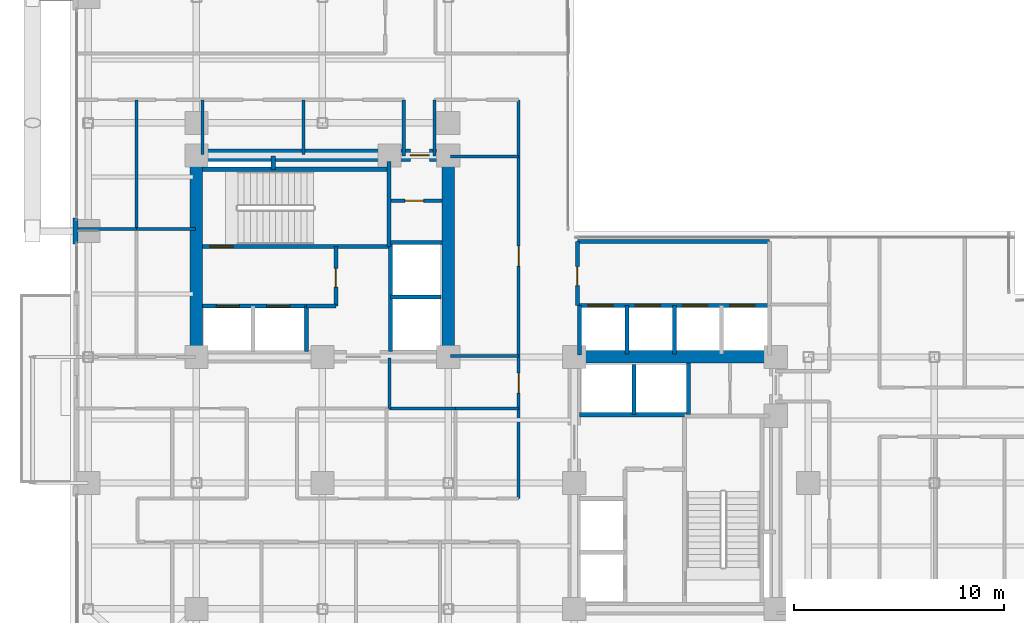
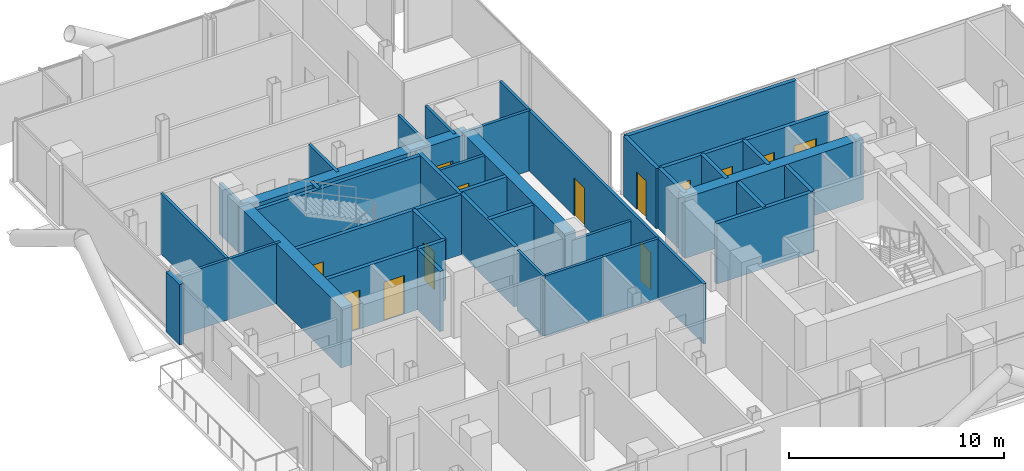
# One storey, part 20 of 24: 39 walls, 13 doors, 13 openings.
"""IFC4 building model written with IfcOpenShell, lengths in metres."""

from ifc_helpers import new_model, si_unit, direction, frame, frame_2d, origin, place, context, subcontext, project, spatial, rectangle, extrude, material, layer, layer_set, type_object, element, fill, save


model = new_model("IFC4")

# Units and contexts
model_context = context("Model", 3, precision=1e-05, world=origin(), true_north=direction((0.0, 1.0)))
body_context = subcontext(model_context, "Body", "Model", "MODEL_VIEW")
ifc_project = project(units=[si_unit("LENGTHUNIT", "METRE"), si_unit("AREAUNIT", "SQUARE_METRE"), si_unit("VOLUMEUNIT", "CUBIC_METRE"), si_unit("PLANEANGLEUNIT", "RADIAN"), si_unit("MASSUNIT", "GRAM", prefix="KILO"), si_unit("THERMODYNAMICTEMPERATUREUNIT", "KELVIN"), si_unit("POWERUNIT", "WATT")], contexts=[model_context])

# Site, building, storey
site_placement = place(None, origin())
site = spatial("IfcSite", under=ifc_project, at=site_placement, CompositionType="ELEMENT")
building_placement = place(site_placement, origin())
building = spatial("IfcBuilding", under=site, at=building_placement, Name="Svarakhadi Broadcast Tower", CompositionType="ELEMENT")
storey_placement = place(building_placement, frame((0.0, 0.0, 160.64990234375)))
storey = spatial("IfcBuildingStorey", under=building, at=storey_placement, Name="L39", CompositionType="ELEMENT", Elevation=160.64990234375)

# Walls
ifc_material_1 = material(Name="Concrete C40/50 (IS 456 M50)", Category="concrete")
ifc_layer_1 = layer(ifc_material_1, 0.239990234375)
ifc_layer_set_1 = layer_set([ifc_layer_1], Name="Concrete C40/50 (IS 456 M50)")
wall_type_1 = type_object("IfcWallType", Name="Wall_Ext_240", PredefinedType="SOLIDWALL", material=ifc_layer_set_1)
wall_1_placement = place(storey_placement, frame((0.239990234375, 23.385009765625, 0.0), z_axis=(0.0, 0.0, 1.0), x_axis=(0.0, 1.0, 0.0)))
element("IfcWall", 1, at=wall_1_placement, inside=storey, type_object=wall_type_1, Name="L39 Perimeter Bronze Spandrel Closure Wall 02", PredefinedType="SOLIDWALL", context=body_context, shape_type="SweptSolid", body=[
    extrude(rectangle(XDim=1.22998046875, YDim=0.239990234375, at=frame_2d((0.614990234375, 0.0))), origin(), (0.0, 0.0, 1.0), 3.425048828125),
])
ifc_layer_2 = layer(ifc_material_1, 0.199951171875)
ifc_layer_set_2 = layer_set([ifc_layer_2], Name="Concrete C40/50 (IS 456 M50)")
wall_type_2 = type_object("IfcWallType", Name="Wall_Fire_200", PredefinedType="SOLIDWALL", material=ifc_layer_set_2)
wall_2_placement = place(storey_placement, frame((9.659912109375, 26.93994140625, 0.0), z_axis=(0.0, 0.0, 1.0), x_axis=(0.0, 1.0, 0.0)))
element("IfcWall", 2, at=wall_2_placement, inside=storey, type_object=wall_type_2, Name="L39 Wet Riser Shaft East Wall", PredefinedType="SOLIDWALL", context=body_context, shape_type="SweptSolid", body=[
    extrude(rectangle(XDim=0.64013671875, YDim=0.199951171875, at=frame_2d((0.320068359375, 0.0))), origin(), (0.0, 0.0, 1.0), 3.425048828125),
])

# Wall, opening, door
ifc_material_2 = material(Name="Autoclaved Aerated Concrete Blockwork 150 mm", Category="masonry")
ifc_layer_3 = layer(ifc_material_2, 0.14990234375)
ifc_layer_set_3 = layer_set([ifc_layer_3], Name="Autoclaved Aerated Concrete Blockwork 150 mm")
wall_type_3 = type_object("IfcWallType", Name="Wall_Part_150", PredefinedType="PARTITIONING", material=ifc_layer_set_3)
wall_3_placement = place(storey_placement, frame((15.280029296875, 25.43994140625, 0.0), z_axis=(0.0, 0.0, 1.0), x_axis=(1.0, 0.0, 0.0)))
wall_3 = element("IfcWall", 3, at=wall_3_placement, inside=storey, type_object=wall_type_3, Name="L39 West Core Dual Store Wall", PredefinedType="PARTITIONING", context=body_context, shape_type="SweptSolid", body=[
    extrude(rectangle(XDim=2.419921875, YDim=0.14990234375, at=frame_2d((1.2099609375, 0.0))), origin(), (0.0, 0.0, 1.0), 3.425048828125),
])
opening_1_placement = place(wall_3_placement, frame((0.64990234375, 0.0, 0.0)))
opening_1 = element("IfcOpeningElement", 4, at=opening_1_placement, cuts=wall_3, Name="Opening D-04", PredefinedType="OPENING", context=body_context, shape_type="SweptSolid", body=[
    extrude(rectangle(XDim=0.89990234375, YDim=2.14990234375, at=frame_2d((0.449951171875, 1.074951171875))), frame((0.0, 0.0849609375, 0.0), z_axis=(0.0, -1.0, 0.0), x_axis=(1.0, 0.0, 0.0)), (0.0, 0.0, 1.0), 0.169921875),
])
ifc_material_3 = material(Name="Galvanised Powder-Coated Fire-Rated Steel Leaf", Category="steel")
door_type_1 = type_object("IfcDoorType", Name="Door_Fire_D04", OperationType="SINGLE_SWING_RIGHT", PredefinedType="DOOR", material=ifc_material_3)
door_1_placement = place(opening_1_placement, origin())
door_1 = element("IfcDoor", 5, at=door_1_placement, inside=storey, type_object=door_type_1, Name="L39 West Core Store B Door", OperationType="SINGLE_SWING_RIGHT", OverallHeight=2.14990234375, OverallWidth=0.89990234375, PredefinedType="DOOR", context=body_context, shape_type="SweptSolid", body=[
    extrude(rectangle(XDim=0.89990234375, YDim=2.14990234375, at=frame_2d((0.449951171875, 1.074951171875))), frame((0.0, 0.02490234375, 0.0), z_axis=(0.0, -1.0, 0.0), x_axis=(1.0, 0.0, 0.0)), (0.0, 0.0, 1.0), 0.050048828125),
])
fill(opening_1, door_1)

# Wall
wall_4_placement = place(storey_placement, frame((15.199951171875, 17.949951171875, 0.0), z_axis=(0.0, 0.0, 1.0), x_axis=(0.0, -1.0, 0.0)))
element("IfcWall", 6, at=wall_4_placement, inside=storey, type_object=wall_type_3, Name="L39 Zone 2/3 Corridor Wall", PredefinedType="PARTITIONING", context=body_context, shape_type="SweptSolid", body=[
    extrude(rectangle(XDim=2.39990234375, YDim=0.14990234375, at=frame_2d((1.199951171875, 0.0))), origin(), (0.0, 0.0, 1.0), 3.425048828125),
])

# Wall, openings, doors
wall_5_placement = place(storey_placement, frame((21.35009765625, 11.25, 0.0), z_axis=(0.0, 0.0, 1.0), x_axis=(0.0, 1.0, 0.0)))
wall_5 = element("IfcWall", 7, at=wall_5_placement, inside=storey, type_object=wall_type_3, Name="L39 Zone 2/3 Corridor Wall", PredefinedType="PARTITIONING", context=body_context, shape_type="SweptSolid", body=[
    extrude(rectangle(XDim=19.0, YDim=0.14990234375, at=frame_2d((9.5, 0.0))), origin(), (0.0, 0.0, 1.0), 3.425048828125),
])
opening_2_placement = place(wall_5_placement, frame((11.074951171875, 0.0, 0.0)))
opening_2 = element("IfcOpeningElement", 8, at=opening_2_placement, cuts=wall_5, Name="Opening D-07", PredefinedType="OPENING", context=body_context, shape_type="SweptSolid", body=[
    extrude(rectangle(XDim=0.949951171875, YDim=2.14990234375, at=frame_2d((0.47509765625, 1.074951171875))), frame((0.0, 0.0849609375, 0.0), z_axis=(0.0, -1.0, 0.0), x_axis=(1.0, 0.0, 0.0)), (0.0, 0.0, 1.0), 0.169921875),
])
opening_3_placement = place(wall_5_placement, frame((5.02490234375, 0.0, 0.0)))
opening_3 = element("IfcOpeningElement", 9, at=opening_3_placement, cuts=wall_5, Name="Opening D-06", PredefinedType="OPENING", context=body_context, shape_type="SweptSolid", body=[
    extrude(rectangle(XDim=0.949951171875, YDim=2.14990234375, at=frame_2d((0.47509765625, 1.074951171875))), frame((0.0, 0.0849609375, 0.0), z_axis=(0.0, -1.0, 0.0), x_axis=(1.0, 0.0, 0.0)), (0.0, 0.0, 1.0), 0.169921875),
])
ifc_material_4 = material(Name="Solid-Core Teak Veneer Acoustic Timber Leaf", Category="wood")
door_type_2 = type_object("IfcDoorType", Name="Door_Office_D06", OperationType="SINGLE_SWING_LEFT", PredefinedType="DOOR", material=ifc_material_4)
door_2_placement = place(opening_3_placement, origin())
door_2 = element("IfcDoor", 10, at=door_2_placement, inside=storey, type_object=door_type_2, Name="L39 Executive Review Pod Door", OperationType="SINGLE_SWING_LEFT", OverallHeight=2.14990234375, OverallWidth=0.949951171875, PredefinedType="DOOR", context=body_context, shape_type="SweptSolid", body=[
    extrude(rectangle(XDim=0.949951171875, YDim=2.14990234375, at=frame_2d((0.47509765625, 1.074951171875))), frame((0.0, 0.02490234375, 0.0), z_axis=(0.0, -1.0, 0.0), x_axis=(1.0, 0.0, 0.0)), (0.0, 0.0, 1.0), 0.050048828125),
])
fill(opening_3, door_2)
door_type_3 = type_object("IfcDoorType", Name="Door_Office_D07", OperationType="SINGLE_SWING_RIGHT", PredefinedType="DOOR", material=ifc_material_4)
door_3_placement = place(opening_2_placement, origin())
door_3 = element("IfcDoor", 11, at=door_3_placement, inside=storey, type_object=door_type_3, Name="L39 Broadcast Editorial Review Office Door", OperationType="SINGLE_SWING_RIGHT", OverallHeight=2.14990234375, OverallWidth=0.949951171875, PredefinedType="DOOR", context=body_context, shape_type="SweptSolid", body=[
    extrude(rectangle(XDim=0.949951171875, YDim=2.14990234375, at=frame_2d((0.47509765625, 1.074951171875))), frame((0.0, 0.02490234375, 0.0), z_axis=(0.0, -1.0, 0.0), x_axis=(1.0, 0.0, 0.0)), (0.0, 0.0, 1.0), 0.050048828125),
])
fill(opening_2, door_3)

# Walls
for number, where, z_axis, x_axis, name in (
    (12, (17.35009765625, 30.25, 0.0), (0.0, 0.0, 1.0), (0.0, -1.0, 0.0), "L39 Zone 2/3 Corridor Wall"),
    (13, (15.8798828125, 27.580078125, 0.0), (0.0, 0.0, 1.0), (0.0, 1.0, 0.0), "L39 Zone 2/3 Corridor Wall"),
):
    element("IfcWall", number, at=place(storey_placement, frame(where, z_axis=z_axis, x_axis=x_axis)), inside=storey, type_object=wall_type_3, Name=name, PredefinedType="PARTITIONING", context=body_context, shape_type="SweptSolid", body=[
        extrude(rectangle(XDim=2.669921875, YDim=0.14990234375, at=frame_2d((1.3349609375, 0.0))), origin(), (0.0, 0.0, 1.0), 3.425048828125),
    ])
wall_6_placement = place(storey_placement, frame((15.199951171875, 15.550048828125, 0.0), z_axis=(0.0, 0.0, 1.0), x_axis=(1.0, 0.0, 0.0)))
element("IfcWall", 14, at=wall_6_placement, inside=storey, type_object=wall_type_3, Name="L39 Editorial Review Booth Wall", PredefinedType="PARTITIONING", context=body_context, shape_type="SweptSolid", body=[
    extrude(rectangle(XDim=3.150146484375, YDim=0.14990234375, at=frame_2d((1.5751953125, 0.0))), origin(), (0.0, 0.0, 1.0), 3.425048828125),
])
wall_7_placement = place(storey_placement, frame((18.35009765625, 15.550048828125, 0.0), z_axis=(0.0, 0.0, 1.0), x_axis=(1.0, 0.0, 0.0)))
element("IfcWall", 15, at=wall_7_placement, inside=storey, type_object=wall_type_3, Name="L39 Accessible Floor Washroom WC Wall", PredefinedType="PARTITIONING", context=body_context, shape_type="SweptSolid", body=[
    extrude(rectangle(XDim=3.0, YDim=0.14990234375, at=frame_2d((1.5, 0.0))), origin(), (0.0, 0.0, 1.0), 3.425048828125),
])
wall_8_placement = place(storey_placement, frame((18.10009765625, 18.050048828125, 0.0), z_axis=(0.0, 0.0, 1.0), x_axis=(1.0, 0.0, 0.0)))
element("IfcWall", 16, at=wall_8_placement, inside=storey, type_object=wall_type_3, Name="L39 Broadcast Editorial Review Office Wall", PredefinedType="PARTITIONING", context=body_context, shape_type="SweptSolid", body=[
    extrude(rectangle(XDim=3.25, YDim=0.14990234375, at=frame_2d((1.625, 0.0))), origin(), (0.0, 0.0, 1.0), 2.9169921875),
])
wall_9_placement = place(storey_placement, frame((18.10009765625, 27.550048828125, 0.0), z_axis=(0.0, 0.0, 1.0), x_axis=(1.0, 0.0, 0.0)))
element("IfcWall", 17, at=wall_9_placement, inside=storey, type_object=wall_type_3, Name="L39 Broadcast Editorial Review Office Wall", PredefinedType="PARTITIONING", context=body_context, shape_type="SweptSolid", body=[
    extrude(rectangle(XDim=3.25, YDim=0.14990234375, at=frame_2d((1.625, 0.0))), origin(), (0.0, 0.0, 1.0), 3.425048828125),
])
wall_10_placement = place(storey_placement, frame((0.300048828125, 24.10009765625, 0.0), z_axis=(0.0, 0.0, 1.0), x_axis=(1.0, 0.0, 0.0)))
element("IfcWall", 18, at=wall_10_placement, inside=storey, type_object=wall_type_3, Name="L39 Arabian Sea Executive Studio Wall", PredefinedType="PARTITIONING", context=body_context, shape_type="SweptSolid", body=[
    extrude(rectangle(XDim=2.849853515625, YDim=0.14990234375, at=frame_2d((1.4248046875, 0.0))), origin(), (0.0, 0.0, 1.0), 3.425048828125),
])
wall_11_placement = place(storey_placement, frame((3.14990234375, 24.10009765625, 0.0), z_axis=(0.0, 0.0, 1.0), x_axis=(1.0, 0.0, 0.0)))
element("IfcWall", 19, at=wall_11_placement, inside=storey, type_object=wall_type_3, Name="L39 Arabian Sea Executive Studio Wall", PredefinedType="PARTITIONING", context=body_context, shape_type="SweptSolid", body=[
    extrude(rectangle(XDim=2.800048828125, YDim=0.14990234375, at=frame_2d((1.39990234375, 0.0))), origin(), (0.0, 0.0, 1.0), 3.425048828125),
])
wall_12_placement = place(storey_placement, frame((3.14990234375, 24.10009765625, 0.0), z_axis=(0.0, 0.0, 1.0), x_axis=(0.0, 1.0, 0.0)))
element("IfcWall", 20, at=wall_12_placement, inside=storey, type_object=wall_type_3, Name="L39 Sunset Horizon Screening Room Wall", PredefinedType="PARTITIONING", context=body_context, shape_type="SweptSolid", body=[
    extrude(rectangle(XDim=6.14990234375, YDim=0.14990234375, at=frame_2d((3.074951171875, 0.0))), origin(), (0.0, 0.0, 1.0), 3.425048828125),
])
wall_13_placement = place(storey_placement, frame((6.300048828125, 27.64990234375, 0.0), z_axis=(0.0, 0.0, 1.0), x_axis=(0.0, 1.0, 0.0)))
element("IfcWall", 21, at=wall_13_placement, inside=storey, type_object=wall_type_3, Name="L39 Acoustic Dubbing Booth Wall", PredefinedType="PARTITIONING", context=body_context, shape_type="SweptSolid", body=[
    extrude(rectangle(XDim=2.60009765625, YDim=0.14990234375, at=frame_2d((1.300048828125, 0.0))), origin(), (0.0, 0.0, 1.0), 2.9169921875),
])
wall_14_placement = place(storey_placement, frame((11.10009765625, 27.64990234375, 0.0), z_axis=(0.0, 0.0, 1.0), x_axis=(0.0, 1.0, 0.0)))
element("IfcWall", 22, at=wall_14_placement, inside=storey, type_object=wall_type_3, Name="L39 Acoustic Dubbing Booth Wall", PredefinedType="PARTITIONING", context=body_context, shape_type="SweptSolid", body=[
    extrude(rectangle(XDim=2.60009765625, YDim=0.14990234375, at=frame_2d((1.300048828125, 0.0))), origin(), (0.0, 0.0, 1.0), 3.425048828125),
])

# Wall, opening, door
ifc_material_5 = material(Name="Concrete C50/60 (IS 456 M60)", Category="concrete")
ifc_layer_4 = layer(ifc_material_5, 0.199951171875)
ifc_layer_set_4 = layer_set([ifc_layer_4], Name="Concrete C50/60 (IS 456 M60)")
wall_type_4 = type_object("IfcWallType", Name="Wall_Shear_200", PredefinedType="SHEAR", material=ifc_layer_set_4)
wall_15_placement = place(storey_placement, frame((6.300048828125, 23.260009765625, 0.0), z_axis=(0.0, 0.0, 1.0), x_axis=(1.0, 0.0, 0.0)))
wall_15 = element("IfcWall", 23, at=wall_15_placement, inside=storey, type_object=wall_type_4, Name="L39 Stair ST-01 South RC Shaft Wall", PredefinedType="SHEAR", context=body_context, shape_type="SweptSolid", body=[
    extrude(rectangle(XDim=8.8798828125, YDim=0.199951171875, at=frame_2d((4.43994140625, 0.0))), origin(), (0.0, 0.0, 1.0), 3.425048828125),
])
opening_4_placement = place(wall_15_placement, frame((0.35009765625, 0.0, 0.0)))
opening_4 = element("IfcOpeningElement", 24, at=opening_4_placement, cuts=wall_15, Name="Opening D-01", PredefinedType="OPENING", context=body_context, shape_type="SweptSolid", body=[
    extrude(rectangle(XDim=1.10009765625, YDim=2.199951171875, at=frame_2d((0.550048828125, 1.10009765625))), frame((0.0, 0.10986328125, 0.0), z_axis=(0.0, -1.0, 0.0), x_axis=(1.0, 0.0, 0.0)), (0.0, 0.0, 1.0), 0.219970703125),
])
door_type_4 = type_object("IfcDoorType", Name="Door_Stair_D01", OperationType="SINGLE_SWING_LEFT", PredefinedType="DOOR", material=ifc_material_3)
door_4_placement = place(opening_4_placement, origin())
door_4 = element("IfcDoor", 25, at=door_4_placement, inside=storey, type_object=door_type_4, Name="L39 Protected Exit Stair ST-01 Fire Door", OperationType="SINGLE_SWING_LEFT", OverallHeight=2.199951171875, OverallWidth=1.10009765625, PredefinedType="DOOR", context=body_context, shape_type="SweptSolid", body=[
    extrude(rectangle(XDim=1.10009765625, YDim=2.199951171875, at=frame_2d((0.550048828125, 1.10009765625))), frame((0.0, 0.02490234375, 0.0), z_axis=(0.0, -1.0, 0.0), x_axis=(1.0, 0.0, 0.0)), (0.0, 0.0, 1.0), 0.050048828125),
])
fill(opening_4, door_4)

# Walls
wall_16_placement = place(storey_placement, frame((6.300048828125, 26.93994140625, 0.0), z_axis=(0.0, 0.0, 1.0), x_axis=(1.0, 0.0, 0.0)))
element("IfcWall", 26, at=wall_16_placement, inside=storey, type_object=wall_type_4, Name="L39 Stair ST-01 North RC Shaft Wall", PredefinedType="SHEAR", context=body_context, shape_type="SweptSolid", body=[
    extrude(rectangle(XDim=8.8798828125, YDim=0.199951171875, at=frame_2d((4.43994140625, 0.0))), origin(), (0.0, 0.0, 1.0), 3.425048828125),
])
wall_17_placement = place(storey_placement, frame((15.179931640625, 23.260009765625, 0.0), z_axis=(0.0, 0.0, 1.0), x_axis=(0.0, 1.0, 0.0)))
element("IfcWall", 27, at=wall_17_placement, inside=storey, type_object=wall_type_4, Name="L39 Stair ST-01 East RC Shaft Wall", PredefinedType="SHEAR", context=body_context, shape_type="SweptSolid", body=[
    extrude(rectangle(XDim=4.0400390625, YDim=0.199951171875, at=frame_2d((2.02001953125, 0.0))), origin(), (0.0, 0.0, 1.0), 3.425048828125),
])

# Wall, openings, doors
wall_18_placement = place(storey_placement, frame((6.300048828125, 20.419921875, 0.0), z_axis=(0.0, 0.0, 1.0), x_axis=(1.0, 0.0, 0.0)))
wall_18 = element("IfcWall", 28, at=wall_18_placement, inside=storey, type_object=wall_type_4, Name="L39 Firefighting Lift LF-01/02 Shaft Wall", PredefinedType="SHEAR", context=body_context, shape_type="SweptSolid", body=[
    extrude(rectangle(XDim=4.949951171875, YDim=0.199951171875, at=frame_2d((2.47509765625, 0.0))), origin(), (0.0, 0.0, 1.0), 3.425048828125),
])
opening_5_placement = place(wall_18_placement, frame((0.64990234375, 0.0, 0.0)))
opening_5 = element("IfcOpeningElement", 29, at=opening_5_placement, cuts=wall_18, Name="Opening LD-01", PredefinedType="OPENING", context=body_context, shape_type="SweptSolid", body=[
    extrude(rectangle(XDim=1.10009765625, YDim=2.199951171875, at=frame_2d((0.550048828125, 1.10009765625))), frame((0.0, 0.10986328125, 0.0), z_axis=(0.0, -1.0, 0.0), x_axis=(1.0, 0.0, 0.0)), (0.0, 0.0, 1.0), 0.219970703125),
])
opening_6_placement = place(wall_18_placement, frame((3.050048828125, 0.0, 0.0)))
opening_6 = element("IfcOpeningElement", 30, at=opening_6_placement, cuts=wall_18, Name="Opening LD-01", PredefinedType="OPENING", context=body_context, shape_type="SweptSolid", body=[
    extrude(rectangle(XDim=1.10009765625, YDim=2.199951171875, at=frame_2d((0.550048828125, 1.10009765625))), frame((0.0, 0.10986328125, 0.0), z_axis=(0.0, -1.0, 0.0), x_axis=(1.0, 0.0, 0.0)), (0.0, 0.0, 1.0), 0.219970703125),
])
door_type_5 = type_object("IfcDoorType", Name="Door_Lift_LD01", OperationType="SLIDING_TO_LEFT", PredefinedType="DOOR", material=ifc_material_3)
door_5_placement = place(opening_5_placement, origin())
door_5 = element("IfcDoor", 31, at=door_5_placement, inside=storey, type_object=door_type_5, Name="L39 Firefighting Lift LF-01 Landing Door", OperationType="SLIDING_TO_LEFT", OverallHeight=2.199951171875, OverallWidth=1.10009765625, PredefinedType="DOOR", context=body_context, shape_type="SweptSolid", body=[
    extrude(rectangle(XDim=1.10009765625, YDim=2.199951171875, at=frame_2d((0.550048828125, 1.10009765625))), frame((0.0, 0.02490234375, 0.0), z_axis=(0.0, -1.0, 0.0), x_axis=(1.0, 0.0, 0.0)), (0.0, 0.0, 1.0), 0.050048828125),
])
fill(opening_5, door_5)
door_6_placement = place(opening_6_placement, origin())
door_6 = element("IfcDoor", 32, at=door_6_placement, inside=storey, type_object=door_type_5, Name="L39 Firefighting Lift LF-02 Landing Door", OperationType="SLIDING_TO_LEFT", OverallHeight=2.199951171875, OverallWidth=1.10009765625, PredefinedType="DOOR", context=body_context, shape_type="SweptSolid", body=[
    extrude(rectangle(XDim=1.10009765625, YDim=2.199951171875, at=frame_2d((0.550048828125, 1.10009765625))), frame((0.0, 0.02490234375, 0.0), z_axis=(0.0, -1.0, 0.0), x_axis=(1.0, 0.0, 0.0)), (0.0, 0.0, 1.0), 0.050048828125),
])
fill(opening_6, door_6)

# Walls
wall_19_placement = place(storey_placement, frame((11.25, 18.25, 0.0), z_axis=(0.0, 0.0, 1.0), x_axis=(0.0, 1.0, 0.0)))
element("IfcWall", 33, at=wall_19_placement, inside=storey, type_object=wall_type_4, Name="L39 Firefighting Lift LF-02 East Wall", PredefinedType="SHEAR", context=body_context, shape_type="SweptSolid", body=[
    extrude(rectangle(XDim=2.169921875, YDim=0.199951171875, at=frame_2d((1.0849609375, 0.0))), origin(), (0.0, 0.0, 1.0), 3.425048828125),
])
wall_20_placement = place(storey_placement, frame((11.25, 20.419921875, 0.0), z_axis=(0.0, 0.0, 1.0), x_axis=(1.0, 0.0, 0.0)))
element("IfcWall", 34, at=wall_20_placement, inside=storey, type_object=wall_type_4, Name="L39 West Firefighting Lobby South Wall", PredefinedType="SHEAR", context=body_context, shape_type="SweptSolid", body=[
    extrude(rectangle(XDim=1.39990234375, YDim=0.199951171875, at=frame_2d((0.699951171875, 0.0))), origin(), (0.0, 0.0, 1.0), 3.425048828125),
])

# Wall, opening, door
wall_21_placement = place(storey_placement, frame((12.64990234375, 20.419921875, 0.0), z_axis=(0.0, 0.0, 1.0), x_axis=(0.0, 1.0, 0.0)))
wall_21 = element("IfcWall", 35, at=wall_21_placement, inside=storey, type_object=wall_type_4, Name="L39 West Firefighting Lobby East Wall", PredefinedType="SHEAR", context=body_context, shape_type="SweptSolid", body=[
    extrude(rectangle(XDim=2.840087890625, YDim=0.199951171875, at=frame_2d((1.419921875, 0.0))), origin(), (0.0, 0.0, 1.0), 3.425048828125),
])
opening_7_placement = place(wall_21_placement, frame((0.89990234375, 0.0, 0.0)))
opening_7 = element("IfcOpeningElement", 36, at=opening_7_placement, cuts=wall_21, Name="Opening D-04", PredefinedType="OPENING", context=body_context, shape_type="SweptSolid", body=[
    extrude(rectangle(XDim=0.89990234375, YDim=2.14990234375, at=frame_2d((0.449951171875, 1.074951171875))), frame((0.0, 0.10986328125, 0.0), z_axis=(0.0, -1.0, 0.0), x_axis=(1.0, 0.0, 0.0)), (0.0, 0.0, 1.0), 0.219970703125),
])
door_7_placement = place(opening_7_placement, origin())
door_7 = element("IfcDoor", 37, at=door_7_placement, inside=storey, type_object=door_type_1, Name="L39 West Firefighting Lobby Fire Door", OperationType="SINGLE_SWING_RIGHT", OverallHeight=2.14990234375, OverallWidth=0.89990234375, PredefinedType="DOOR", context=body_context, shape_type="SweptSolid", body=[
    extrude(rectangle(XDim=0.89990234375, YDim=2.14990234375, at=frame_2d((0.449951171875, 1.074951171875))), frame((0.0, 0.02490234375, 0.0), z_axis=(0.0, -1.0, 0.0), x_axis=(1.0, 0.0, 0.0)), (0.0, 0.0, 1.0), 0.050048828125),
])
fill(opening_7, door_7)

# Walls
wall_22_placement = place(storey_placement, frame((15.25, 18.25, 0.0), z_axis=(0.0, 0.0, 1.0), x_axis=(0.0, 1.0, 0.0)))
element("IfcWall", 38, at=wall_22_placement, inside=storey, type_object=wall_type_4, Name="L39 High-Rise Lift LF-13/14 West Shaft Wall", PredefinedType="SHEAR", context=body_context, shape_type="SweptSolid", body=[
    extrude(rectangle(XDim=5.199951171875, YDim=0.199951171875, at=frame_2d((2.60009765625, 0.0))), origin(), (0.0, 0.0, 1.0), 3.425048828125),
])
wall_23_placement = place(storey_placement, frame((15.25, 20.85009765625, 0.0), z_axis=(0.0, 0.0, 1.0), x_axis=(1.0, 0.0, 0.0)))
element("IfcWall", 39, at=wall_23_placement, inside=storey, type_object=wall_type_4, Name="L39 High-Rise Lift LF-13/14 Divider", PredefinedType="SHEAR", context=body_context, shape_type="SweptSolid", body=[
    extrude(rectangle(XDim=2.39990234375, YDim=0.199951171875, at=frame_2d((1.199951171875, 0.0))), origin(), (0.0, 0.0, 1.0), 3.425048828125),
])
wall_24_placement = place(storey_placement, frame((15.25, 23.449951171875, 0.0), z_axis=(0.0, 0.0, 1.0), x_axis=(1.0, 0.0, 0.0)))
element("IfcWall", 40, at=wall_24_placement, inside=storey, type_object=wall_type_4, Name="L39 High-Rise Lift LF-13/14 North Wall", PredefinedType="SHEAR", context=body_context, shape_type="SweptSolid", body=[
    extrude(rectangle(XDim=2.449951171875, YDim=0.199951171875, at=frame_2d((1.22509765625, 0.0))), origin(), (0.0, 0.0, 1.0), 3.425048828125),
])
wall_25_placement = place(storey_placement, frame((24.25, 15.25, 0.0), z_axis=(0.0, 0.0, 1.0), x_axis=(1.0, 0.0, 0.0)))
element("IfcWall", 41, at=wall_25_placement, inside=storey, type_object=wall_type_4, Name="L39 High-Rise Lift LF-15/16 South Shaft Wall", PredefinedType="SHEAR", context=body_context, shape_type="SweptSolid", body=[
    extrude(rectangle(XDim=5.199951171875, YDim=0.199951171875, at=frame_2d((2.60009765625, 0.0))), origin(), (0.0, 0.0, 1.0), 3.425048828125),
])
wall_26_placement = place(storey_placement, frame((26.85009765625, 15.25, 0.0), z_axis=(0.0, 0.0, 1.0), x_axis=(0.0, 1.0, 0.0)))
element("IfcWall", 42, at=wall_26_placement, inside=storey, type_object=wall_type_4, Name="L39 High-Rise Lift LF-15/16 Divider", PredefinedType="SHEAR", context=body_context, shape_type="SweptSolid", body=[
    extrude(rectangle(XDim=2.39990234375, YDim=0.199951171875, at=frame_2d((1.199951171875, 0.0))), origin(), (0.0, 0.0, 1.0), 3.425048828125),
])
wall_27_placement = place(storey_placement, frame((29.449951171875, 15.25, 0.0), z_axis=(0.0, 0.0, 1.0), x_axis=(0.0, 1.0, 0.0)))
element("IfcWall", 43, at=wall_27_placement, inside=storey, type_object=wall_type_4, Name="L39 High-Rise Lift LF-15/16 East Wall", PredefinedType="SHEAR", context=body_context, shape_type="SweptSolid", body=[
    extrude(rectangle(XDim=2.449951171875, YDim=0.199951171875, at=frame_2d((1.22509765625, 0.0))), origin(), (0.0, 0.0, 1.0), 3.425048828125),
])
wall_28_placement = place(storey_placement, frame((24.25, 18.10009765625, 0.0), z_axis=(0.0, 0.0, 1.0), x_axis=(0.0, 1.0, 0.0)))
element("IfcWall", 44, at=wall_28_placement, inside=storey, type_object=wall_type_4, Name="L39 Bank B West Shaft Wall", PredefinedType="SHEAR", context=body_context, shape_type="SweptSolid", body=[
    extrude(rectangle(XDim=2.349853515625, YDim=0.199951171875, at=frame_2d((1.1748046875, 0.0))), origin(), (0.0, 0.0, 1.0), 3.425048828125),
])

# Wall, openings, doors
wall_29_placement = place(storey_placement, frame((24.25, 20.449951171875, 0.0), z_axis=(0.0, 0.0, 1.0), x_axis=(1.0, 0.0, 0.0)))
wall_29 = element("IfcWall", 45, at=wall_29_placement, inside=storey, type_object=wall_type_4, Name="L39 Bank B North Landing Wall", PredefinedType="SHEAR", context=body_context, shape_type="SweptSolid", body=[
    extrude(rectangle(XDim=9.050048828125, YDim=0.199951171875, at=frame_2d((4.52490234375, 0.0))), origin(), (0.0, 0.0, 1.0), 3.425048828125),
])
opening_8_placement = place(wall_29_placement, frame((0.39990234375, 0.0, 0.0)))
opening_8 = element("IfcOpeningElement", 46, at=opening_8_placement, cuts=wall_29, Name="Opening LD-02", PredefinedType="OPENING", context=body_context, shape_type="SweptSolid", body=[
    extrude(rectangle(XDim=1.199951171875, YDim=2.199951171875, at=frame_2d((0.60009765625, 1.10009765625))), frame((0.0, 0.10986328125, 0.0), z_axis=(0.0, -1.0, 0.0), x_axis=(1.0, 0.0, 0.0)), (0.0, 0.0, 1.0), 0.219970703125),
])
opening_9_placement = place(wall_29_placement, frame((2.64990234375, 0.0, 0.0)))
opening_9 = element("IfcOpeningElement", 47, at=opening_9_placement, cuts=wall_29, Name="Opening LD-02", PredefinedType="OPENING", context=body_context, shape_type="SweptSolid", body=[
    extrude(rectangle(XDim=1.199951171875, YDim=2.199951171875, at=frame_2d((0.60009765625, 1.10009765625))), frame((0.0, 0.10986328125, 0.0), z_axis=(0.0, -1.0, 0.0), x_axis=(1.0, 0.0, 0.0)), (0.0, 0.0, 1.0), 0.219970703125),
])
opening_10_placement = place(wall_29_placement, frame((4.89990234375, 0.0, 0.0)))
opening_10 = element("IfcOpeningElement", 48, at=opening_10_placement, cuts=wall_29, Name="Opening LD-02", PredefinedType="OPENING", context=body_context, shape_type="SweptSolid", body=[
    extrude(rectangle(XDim=1.199951171875, YDim=2.199951171875, at=frame_2d((0.60009765625, 1.10009765625))), frame((0.0, 0.10986328125, 0.0), z_axis=(0.0, -1.0, 0.0), x_axis=(1.0, 0.0, 0.0)), (0.0, 0.0, 1.0), 0.219970703125),
])
opening_11_placement = place(wall_29_placement, frame((7.14990234375, 0.0, 0.0)))
opening_11 = element("IfcOpeningElement", 49, at=opening_11_placement, cuts=wall_29, Name="Opening LD-02", PredefinedType="OPENING", context=body_context, shape_type="SweptSolid", body=[
    extrude(rectangle(XDim=1.199951171875, YDim=2.199951171875, at=frame_2d((0.60009765625, 1.10009765625))), frame((0.0, 0.10986328125, 0.0), z_axis=(0.0, -1.0, 0.0), x_axis=(1.0, 0.0, 0.0)), (0.0, 0.0, 1.0), 0.219970703125),
])
door_type_6 = type_object("IfcDoorType", Name="Door_Lift_LD02", OperationType="SLIDING_TO_RIGHT", PredefinedType="DOOR", material=ifc_material_3)
door_8_placement = place(opening_8_placement, origin())
door_8 = element("IfcDoor", 50, at=door_8_placement, inside=storey, type_object=door_type_6, Name="L39 Mid-Rise Lift LF-09 Landing Door", OperationType="SLIDING_TO_RIGHT", OverallHeight=2.199951171875, OverallWidth=1.199951171875, PredefinedType="DOOR", context=body_context, shape_type="SweptSolid", body=[
    extrude(rectangle(XDim=1.199951171875, YDim=2.199951171875, at=frame_2d((0.60009765625, 1.10009765625))), frame((0.0, 0.02490234375, 0.0), z_axis=(0.0, -1.0, 0.0), x_axis=(1.0, 0.0, 0.0)), (0.0, 0.0, 1.0), 0.050048828125),
])
fill(opening_8, door_8)
door_9_placement = place(opening_9_placement, origin())
door_9 = element("IfcDoor", 51, at=door_9_placement, inside=storey, type_object=door_type_6, Name="L39 Mid-Rise Lift LF-10 Landing Door", OperationType="SLIDING_TO_RIGHT", OverallHeight=2.199951171875, OverallWidth=1.199951171875, PredefinedType="DOOR", context=body_context, shape_type="SweptSolid", body=[
    extrude(rectangle(XDim=1.199951171875, YDim=2.199951171875, at=frame_2d((0.60009765625, 1.10009765625))), frame((0.0, 0.02490234375, 0.0), z_axis=(0.0, -1.0, 0.0), x_axis=(1.0, 0.0, 0.0)), (0.0, 0.0, 1.0), 0.050048828125),
])
fill(opening_9, door_9)
door_10_placement = place(opening_10_placement, origin())
door_10 = element("IfcDoor", 52, at=door_10_placement, inside=storey, type_object=door_type_6, Name="L39 Mid-Rise Lift LF-11 Landing Door", OperationType="SLIDING_TO_RIGHT", OverallHeight=2.199951171875, OverallWidth=1.199951171875, PredefinedType="DOOR", context=body_context, shape_type="SweptSolid", body=[
    extrude(rectangle(XDim=1.199951171875, YDim=2.199951171875, at=frame_2d((0.60009765625, 1.10009765625))), frame((0.0, 0.02490234375, 0.0), z_axis=(0.0, -1.0, 0.0), x_axis=(1.0, 0.0, 0.0)), (0.0, 0.0, 1.0), 0.050048828125),
])
fill(opening_10, door_10)
door_11_placement = place(opening_11_placement, origin())
door_11 = element("IfcDoor", 53, at=door_11_placement, inside=storey, type_object=door_type_6, Name="L39 Mid-Rise Lift LF-12 Landing Door", OperationType="SLIDING_TO_RIGHT", OverallHeight=2.199951171875, OverallWidth=1.199951171875, PredefinedType="DOOR", context=body_context, shape_type="SweptSolid", body=[
    extrude(rectangle(XDim=1.199951171875, YDim=2.199951171875, at=frame_2d((0.60009765625, 1.10009765625))), frame((0.0, 0.02490234375, 0.0), z_axis=(0.0, -1.0, 0.0), x_axis=(1.0, 0.0, 0.0)), (0.0, 0.0, 1.0), 0.050048828125),
])
fill(opening_11, door_11)

# Walls
for number, where, z_axis, x_axis, name in (
    (54, (26.52001953125, 18.14990234375, 0.0), (0.0, 0.0, 1.0), (0.0, 1.0, 0.0), "L39 Bank B Divider"),
    (55, (28.77001953125, 18.14990234375, 0.0), (0.0, 0.0, 1.0), (0.0, 1.0, 0.0), "L39 Bank B Divider"),
):
    element("IfcWall", number, at=place(storey_placement, frame(where, z_axis=z_axis, x_axis=x_axis)), inside=storey, type_object=wall_type_4, Name=name, PredefinedType="SHEAR", context=body_context, shape_type="SweptSolid", body=[
        extrude(rectangle(XDim=2.300048828125, YDim=0.199951171875, at=frame_2d((1.14990234375, 0.0))), origin(), (0.0, 0.0, 1.0), 3.425048828125),
    ])
wall_30_placement = place(storey_placement, frame((24.14990234375, 23.5, 0.0), z_axis=(0.0, 0.0, 1.0), x_axis=(1.0, 0.0, 0.0)))
element("IfcWall", 56, at=wall_30_placement, inside=storey, type_object=wall_type_4, Name="L39 Bank B Lift Hall North Wall", PredefinedType="SHEAR", context=body_context, shape_type="SweptSolid", body=[
    extrude(rectangle(XDim=9.150146484375, YDim=0.199951171875, at=frame_2d((4.5751953125, 0.0))), origin(), (0.0, 0.0, 1.0), 3.425048828125),
])

# Wall, opening, door
wall_31_placement = place(storey_placement, frame((24.14990234375, 20.449951171875, 0.0), z_axis=(0.0, 0.0, 1.0), x_axis=(0.0, 1.0, 0.0)))
wall_31 = element("IfcWall", 57, at=wall_31_placement, inside=storey, type_object=wall_type_4, Name="L39 Bank B Lift Hall West Wall", PredefinedType="SHEAR", context=body_context, shape_type="SweptSolid", body=[
    extrude(rectangle(XDim=3.050048828125, YDim=0.199951171875, at=frame_2d((1.52490234375, 0.0))), origin(), (0.0, 0.0, 1.0), 3.425048828125),
])
opening_12_placement = place(wall_31_placement, frame((0.949951171875, 0.0, 0.0)))
opening_12 = element("IfcOpeningElement", 58, at=opening_12_placement, cuts=wall_31, Name="Opening D-04", PredefinedType="OPENING", context=body_context, shape_type="SweptSolid", body=[
    extrude(rectangle(XDim=0.89990234375, YDim=2.14990234375, at=frame_2d((0.449951171875, 1.074951171875))), frame((0.0, 0.10986328125, 0.0), z_axis=(0.0, -1.0, 0.0), x_axis=(1.0, 0.0, 0.0)), (0.0, 0.0, 1.0), 0.219970703125),
])
door_12_placement = place(opening_12_placement, origin())
door_12 = element("IfcDoor", 59, at=door_12_placement, inside=storey, type_object=door_type_1, Name="L39 Mid-Rise Lift Hall West Corridor Door", OperationType="SINGLE_SWING_RIGHT", OverallHeight=2.14990234375, OverallWidth=0.89990234375, PredefinedType="DOOR", context=body_context, shape_type="SweptSolid", body=[
    extrude(rectangle(XDim=0.89990234375, YDim=2.14990234375, at=frame_2d((0.449951171875, 1.074951171875))), frame((0.0, 0.02490234375, 0.0), z_axis=(0.0, -1.0, 0.0), x_axis=(1.0, 0.0, 0.0)), (0.0, 0.0, 1.0), 0.050048828125),
])
fill(opening_12, door_12)

ifc_material_6 = material(Name="Concrete C60/75 (IS 456 M70)", Category="concrete")
ifc_layer_5 = layer(ifc_material_6, 0.60009765625)
ifc_layer_set_5 = layer_set([ifc_layer_5], Name="Concrete C60/75 (IS 456 M70)")
wall_type_5 = type_object("IfcWallType", Name="Wall_Shear_600", PredefinedType="SHEAR", material=ifc_layer_set_5)
wall_32_placement = place(storey_placement, frame((6.0, 27.60009765625, 0.0), z_axis=(0.0, 0.0, 1.0), x_axis=(1.0, 0.0, 0.0)))
wall_32 = element("IfcWall", 60, at=wall_32_placement, inside=storey, type_object=wall_type_5, Name="L39 West Core North Shear Wall", PredefinedType="SHEAR", context=body_context, shape_type="SweptSolid", body=[
    extrude(rectangle(XDim=12.0, YDim=0.60009765625, at=frame_2d((6.0, 0.0))), origin(), (0.0, 0.0, 1.0), 3.425048828125),
])
opening_13_placement = place(wall_32_placement, frame((10.199951171875, 0.0, 0.0)))
opening_13 = element("IfcOpeningElement", 61, at=opening_13_placement, cuts=wall_32, Name="Opening D-03", PredefinedType="OPENING", context=body_context, shape_type="SweptSolid", body=[
    extrude(rectangle(XDim=0.89990234375, YDim=2.14990234375, at=frame_2d((0.449951171875, 1.074951171875))), frame((0.0, 0.31005859375, 0.0), z_axis=(0.0, -1.0, 0.0), x_axis=(1.0, 0.0, 0.0)), (0.0, 0.0, 1.0), 0.6201171875),
])
door_type_7 = type_object("IfcDoorType", Name="Door_Fire_D03", OperationType="SINGLE_SWING_LEFT", PredefinedType="DOOR", material=ifc_material_3)
door_13_placement = place(opening_13_placement, origin())
door_13 = element("IfcDoor", 62, at=door_13_placement, inside=storey, type_object=door_type_7, Name="L39 West Core Store A Door", OperationType="SINGLE_SWING_LEFT", OverallHeight=2.14990234375, OverallWidth=0.89990234375, PredefinedType="DOOR", context=body_context, shape_type="SweptSolid", body=[
    extrude(rectangle(XDim=0.89990234375, YDim=2.14990234375, at=frame_2d((0.449951171875, 1.074951171875))), frame((0.0, 0.02490234375, 0.0), z_axis=(0.0, -1.0, 0.0), x_axis=(1.0, 0.0, 0.0)), (0.0, 0.0, 1.0), 0.050048828125),
])
fill(opening_13, door_13)

# Walls
for number, where, z_axis, x_axis, name in (
    (63, (6.0, 18.0, 0.0), (0.0, 0.0, 1.0), (0.0, 1.0, 0.0), "L39 West Core West Shear Wall"),
    (64, (18.0, 18.0, 0.0), (0.0, 0.0, 1.0), (0.0, 1.0, 0.0), "L39 West Core East Shear Wall"),
    (65, (24.0, 18.0, 0.0), (0.0, 0.0, 1.0), (1.0, 0.0, 0.0), "L39 East Core North Shear Wall"),
):
    element("IfcWall", number, at=place(storey_placement, frame(where, z_axis=z_axis, x_axis=x_axis)), inside=storey, type_object=wall_type_5, Name=name, PredefinedType="SHEAR", context=body_context, shape_type="SweptSolid", body=[
        extrude(rectangle(XDim=9.60009765625, YDim=0.60009765625, at=frame_2d((4.800048828125, 0.0))), origin(), (0.0, 0.0, 1.0), 3.425048828125),
    ])

save(model, "model.ifc")
